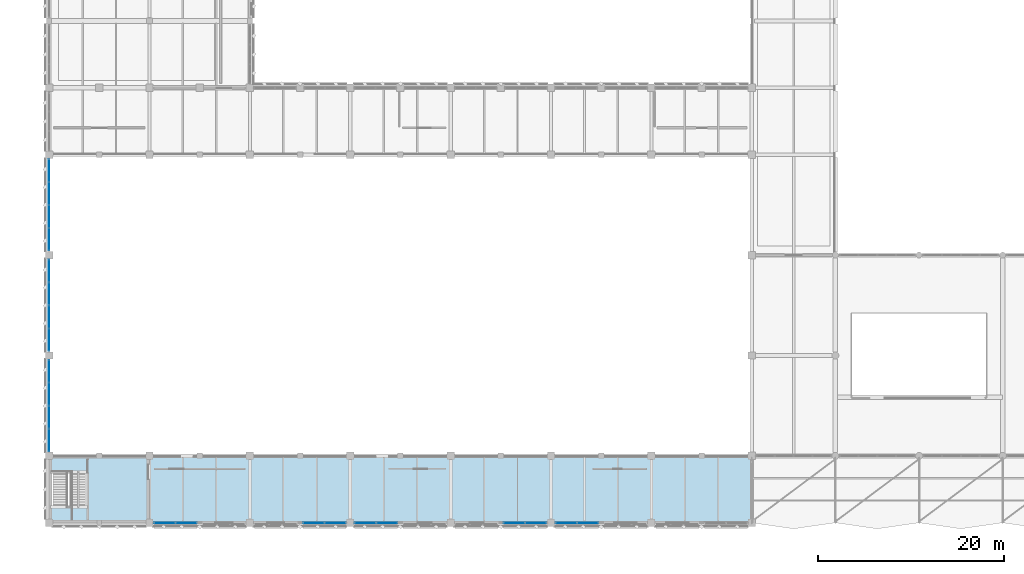
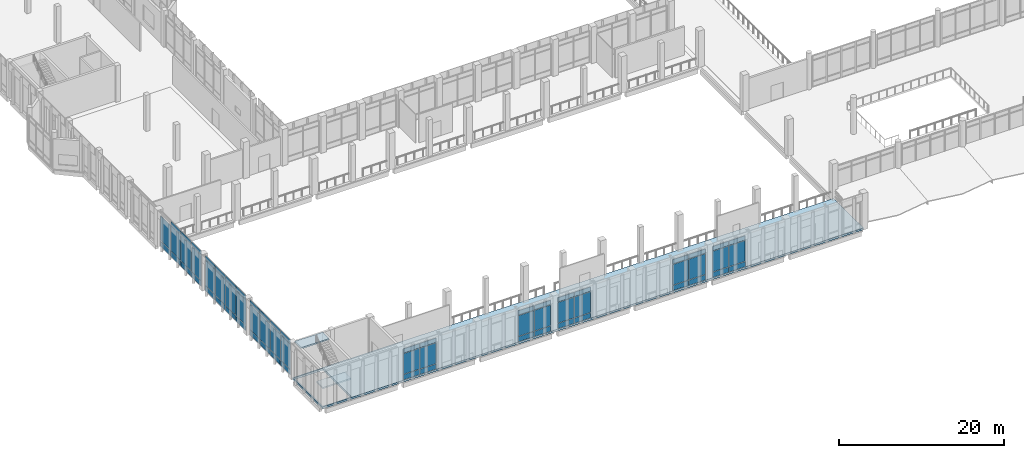
# One storey, part 139 of 180: 65 plates, 3 slabs, 9 elements without a shape of their own.
"""IFC4 building model written with IfcOpenShell, lengths in metres."""

from ifc_helpers import new_model, si_unit, direction, frame, origin, origin_2d, place, context, subcontext, project, spatial, polyline, rectangle, outline, extrude, material, layer, layer_set, type_object, element, aggregate, save


model = new_model("IFC4")

# Units and contexts
model_context = context("Model", 3, precision=1e-05, world=origin(), true_north=direction((0.0, 1.0)))
body_context = subcontext(model_context, "Body", "Model", "MODEL_VIEW")
ifc_project = project(units=[si_unit("LENGTHUNIT", "METRE"), si_unit("AREAUNIT", "SQUARE_METRE"), si_unit("VOLUMEUNIT", "CUBIC_METRE"), si_unit("PLANEANGLEUNIT", "RADIAN"), si_unit("MASSUNIT", "GRAM", prefix="KILO")], contexts=[model_context])

# Site, building, storey
site_placement = place(None, origin())
site = spatial("IfcSite", under=ifc_project, at=site_placement, CompositionType="ELEMENT")
building_placement = place(site_placement, origin())
building = spatial("IfcBuilding", under=site, at=building_placement, Name="Lusvemor Sports Hall", CompositionType="ELEMENT")
storey_placement = place(building_placement, frame((0.0, 0.0, 5.39990234375)))
storey = spatial("IfcBuildingStorey", under=building, at=storey_placement, Name="L01", CompositionType="ELEMENT", Elevation=5.39990234375)

# Curtain wall, plates
ifc_material_1 = material(Name="Thermally broken bronze-anodized aluminium", Category="aluminium")
curtain_wall_type = type_object("IfcCurtainWallType", Name="CW_COURT_C", PredefinedType="NOTDEFINED", material=ifc_material_1)
curtain_wall_1_placement = place(storey_placement, origin())
curtain_wall_1 = element("IfcCurtainWall", 1, at=curtain_wall_1_placement, inside=storey, type_object=curtain_wall_type, Name="Curtain Wall CW-V1S-L01-1-1", PredefinedType="NOTDEFINED")
ifc_material_2 = material(Name="Solar-control laminated double glazing", Category="glass")
ifc_layer_1 = layer(ifc_material_2, 0.028076171875)
ifc_layer_set_1 = layer_set([ifc_layer_1], Name="Solar-control laminated double glazing")
plate_type_1 = type_object("IfcPlateType", Name="CW_PAN_GLZ_28", PredefinedType="CURTAIN_PANEL", material=ifc_layer_set_1)
plate_1_placement = place(storey_placement, frame((14.75244140625, 0.0, 0.8828125), z_axis=(0.0, 0.0, 1.0), x_axis=(-1.0, 0.0, 0.0)))
plate_1 = element("IfcPlate", 2, at=plate_1_placement, type_object=plate_type_1, Name="CW03 panel 1.2", PredefinedType="CURTAIN_PANEL", context=body_context, shape_type="SweptSolid", body=[
    extrude(rectangle(XDim=2.2548828125, YDim=0.028076171875, at=origin_2d()), origin(), (0.0, 0.0, 1.0), 3.034912109375),
])
plate_2_placement = place(storey_placement, frame((14.75244140625, 0.0, 3.982421875), z_axis=(0.0, 0.0, 1.0), x_axis=(-1.0, 0.0, 0.0)))
plate_2 = element("IfcPlate", 3, at=plate_2_placement, type_object=plate_type_1, Name="CW03 panel 1.3", PredefinedType="CURTAIN_PANEL", context=body_context, shape_type="SweptSolid", body=[
    extrude(rectangle(XDim=2.2548828125, YDim=0.028076171875, at=origin_2d()), origin(), (0.0, 0.0, 1.0), 0.652587890625),
])
plate_3_placement = place(storey_placement, frame((12.427490234375, 0.0, 0.8828125), z_axis=(0.0, 0.0, 1.0), x_axis=(-1.0, 0.0, 0.0)))
plate_3 = element("IfcPlate", 4, at=plate_3_placement, type_object=plate_type_1, Name="CW03 panel 2.2", PredefinedType="CURTAIN_PANEL", context=body_context, shape_type="SweptSolid", body=[
    extrude(rectangle(XDim=2.2548828125, YDim=0.028076171875, at=origin_2d()), origin(), (0.0, 0.0, 1.0), 3.034912109375),
])
plate_4_placement = place(storey_placement, frame((12.427490234375, 0.0, 3.982421875), z_axis=(0.0, 0.0, 1.0), x_axis=(-1.0, 0.0, 0.0)))
plate_4 = element("IfcPlate", 5, at=plate_4_placement, type_object=plate_type_1, Name="CW03 panel 2.3", PredefinedType="CURTAIN_PANEL", context=body_context, shape_type="SweptSolid", body=[
    extrude(rectangle(XDim=2.2548828125, YDim=0.028076171875, at=origin_2d()), origin(), (0.0, 0.0, 1.0), 0.652587890625),
])

curtain_wall_2_placement = place(storey_placement, origin())
curtain_wall_2 = element("IfcCurtainWall", 6, at=curtain_wall_2_placement, inside=storey, type_object=curtain_wall_type, Name="Curtain Wall CW-V1S-L01-2-2", PredefinedType="NOTDEFINED")
plate_5_placement = place(storey_placement, frame((30.7724609375, 0.0, 0.8828125), z_axis=(0.0, 0.0, 1.0), x_axis=(-1.0, 0.0, 0.0)))
plate_5 = element("IfcPlate", 7, at=plate_5_placement, type_object=plate_type_1, Name="CW03 panel 1.2", PredefinedType="CURTAIN_PANEL", context=body_context, shape_type="SweptSolid", body=[
    extrude(rectangle(XDim=2.2548828125, YDim=0.028076171875, at=origin_2d()), origin(), (0.0, 0.0, 1.0), 3.034912109375),
])
plate_6_placement = place(storey_placement, frame((30.7724609375, 0.0, 3.982421875), z_axis=(0.0, 0.0, 1.0), x_axis=(-1.0, 0.0, 0.0)))
plate_6 = element("IfcPlate", 8, at=plate_6_placement, type_object=plate_type_1, Name="CW03 panel 1.3", PredefinedType="CURTAIN_PANEL", context=body_context, shape_type="SweptSolid", body=[
    extrude(rectangle(XDim=2.2548828125, YDim=0.028076171875, at=origin_2d()), origin(), (0.0, 0.0, 1.0), 0.652587890625),
])
plate_7_placement = place(storey_placement, frame((28.447509765625, 0.0, 0.8828125), z_axis=(0.0, 0.0, 1.0), x_axis=(-1.0, 0.0, 0.0)))
plate_7 = element("IfcPlate", 9, at=plate_7_placement, type_object=plate_type_1, Name="CW03 panel 2.2", PredefinedType="CURTAIN_PANEL", context=body_context, shape_type="SweptSolid", body=[
    extrude(rectangle(XDim=2.2548828125, YDim=0.028076171875, at=origin_2d()), origin(), (0.0, 0.0, 1.0), 3.034912109375),
])
plate_8_placement = place(storey_placement, frame((28.447509765625, 0.0, 3.982421875), z_axis=(0.0, 0.0, 1.0), x_axis=(-1.0, 0.0, 0.0)))
plate_8 = element("IfcPlate", 10, at=plate_8_placement, type_object=plate_type_1, Name="CW03 panel 2.3", PredefinedType="CURTAIN_PANEL", context=body_context, shape_type="SweptSolid", body=[
    extrude(rectangle(XDim=2.2548828125, YDim=0.028076171875, at=origin_2d()), origin(), (0.0, 0.0, 1.0), 0.652587890625),
])

curtain_wall_3_placement = place(storey_placement, origin())
curtain_wall_3 = element("IfcCurtainWall", 11, at=curtain_wall_3_placement, inside=storey, type_object=curtain_wall_type, Name="Curtain Wall CW-V1S-L01-3-1", PredefinedType="NOTDEFINED")
plate_9_placement = place(storey_placement, frame((36.3525390625, 0.0, 0.8828125), z_axis=(0.0, 0.0, 1.0), x_axis=(-1.0, 0.0, 0.0)))
plate_9 = element("IfcPlate", 12, at=plate_9_placement, type_object=plate_type_1, Name="CW03 panel 1.2", PredefinedType="CURTAIN_PANEL", context=body_context, shape_type="SweptSolid", body=[
    extrude(rectangle(XDim=2.2548828125, YDim=0.028076171875, at=origin_2d()), origin(), (0.0, 0.0, 1.0), 3.034912109375),
])
plate_10_placement = place(storey_placement, frame((36.3525390625, 0.0, 3.982421875), z_axis=(0.0, 0.0, 1.0), x_axis=(-1.0, 0.0, 0.0)))
plate_10 = element("IfcPlate", 13, at=plate_10_placement, type_object=plate_type_1, Name="CW03 panel 1.3", PredefinedType="CURTAIN_PANEL", context=body_context, shape_type="SweptSolid", body=[
    extrude(rectangle(XDim=2.2548828125, YDim=0.028076171875, at=origin_2d()), origin(), (0.0, 0.0, 1.0), 0.652587890625),
])
plate_11_placement = place(storey_placement, frame((34.027587890625, 0.0, 0.8828125), z_axis=(0.0, 0.0, 1.0), x_axis=(-1.0, 0.0, 0.0)))
plate_11 = element("IfcPlate", 14, at=plate_11_placement, type_object=plate_type_1, Name="CW03 panel 2.2", PredefinedType="CURTAIN_PANEL", context=body_context, shape_type="SweptSolid", body=[
    extrude(rectangle(XDim=2.2548828125, YDim=0.028076171875, at=origin_2d()), origin(), (0.0, 0.0, 1.0), 3.034912109375),
])
plate_12_placement = place(storey_placement, frame((34.027587890625, 0.0, 3.982421875), z_axis=(0.0, 0.0, 1.0), x_axis=(-1.0, 0.0, 0.0)))
plate_12 = element("IfcPlate", 15, at=plate_12_placement, type_object=plate_type_1, Name="CW03 panel 2.3", PredefinedType="CURTAIN_PANEL", context=body_context, shape_type="SweptSolid", body=[
    extrude(rectangle(XDim=2.2548828125, YDim=0.028076171875, at=origin_2d()), origin(), (0.0, 0.0, 1.0), 0.652587890625),
])

curtain_wall_4_placement = place(storey_placement, origin())
curtain_wall_4 = element("IfcCurtainWall", 16, at=curtain_wall_4_placement, inside=storey, type_object=curtain_wall_type, Name="Curtain Wall CW-V1S-L01-4-2", PredefinedType="NOTDEFINED")
plate_13_placement = place(storey_placement, frame((52.37255859375, 0.0, 0.8828125), z_axis=(0.0, 0.0, 1.0), x_axis=(-1.0, 0.0, 0.0)))
plate_13 = element("IfcPlate", 17, at=plate_13_placement, type_object=plate_type_1, Name="CW03 panel 1.2", PredefinedType="CURTAIN_PANEL", context=body_context, shape_type="SweptSolid", body=[
    extrude(rectangle(XDim=2.2548828125, YDim=0.028076171875, at=origin_2d()), origin(), (0.0, 0.0, 1.0), 3.034912109375),
])
plate_14_placement = place(storey_placement, frame((52.37255859375, 0.0, 3.982421875), z_axis=(0.0, 0.0, 1.0), x_axis=(-1.0, 0.0, 0.0)))
plate_14 = element("IfcPlate", 18, at=plate_14_placement, type_object=plate_type_1, Name="CW03 panel 1.3", PredefinedType="CURTAIN_PANEL", context=body_context, shape_type="SweptSolid", body=[
    extrude(rectangle(XDim=2.2548828125, YDim=0.028076171875, at=origin_2d()), origin(), (0.0, 0.0, 1.0), 0.652587890625),
])
plate_15_placement = place(storey_placement, frame((50.047607421875, 0.0, 0.8828125), z_axis=(0.0, 0.0, 1.0), x_axis=(-1.0, 0.0, 0.0)))
plate_15 = element("IfcPlate", 19, at=plate_15_placement, type_object=plate_type_1, Name="CW03 panel 2.2", PredefinedType="CURTAIN_PANEL", context=body_context, shape_type="SweptSolid", body=[
    extrude(rectangle(XDim=2.2548828125, YDim=0.028076171875, at=origin_2d()), origin(), (0.0, 0.0, 1.0), 3.034912109375),
])
plate_16_placement = place(storey_placement, frame((50.047607421875, 0.0, 3.982421875), z_axis=(0.0, 0.0, 1.0), x_axis=(-1.0, 0.0, 0.0)))
plate_16 = element("IfcPlate", 20, at=plate_16_placement, type_object=plate_type_1, Name="CW03 panel 2.3", PredefinedType="CURTAIN_PANEL", context=body_context, shape_type="SweptSolid", body=[
    extrude(rectangle(XDim=2.2548828125, YDim=0.028076171875, at=origin_2d()), origin(), (0.0, 0.0, 1.0), 0.652587890625),
])

curtain_wall_5_placement = place(storey_placement, origin())
curtain_wall_5 = element("IfcCurtainWall", 21, at=curtain_wall_5_placement, inside=storey, type_object=curtain_wall_type, Name="Curtain Wall CW-V1S-L01-5-1", PredefinedType="NOTDEFINED")
plate_17_placement = place(storey_placement, frame((57.952392578125, 0.0, 0.8828125), z_axis=(0.0, 0.0, 1.0), x_axis=(-1.0, 0.0, 0.0)))
plate_17 = element("IfcPlate", 22, at=plate_17_placement, type_object=plate_type_1, Name="CW03 panel 1.2", PredefinedType="CURTAIN_PANEL", context=body_context, shape_type="SweptSolid", body=[
    extrude(rectangle(XDim=2.2548828125, YDim=0.028076171875, at=origin_2d()), origin(), (0.0, 0.0, 1.0), 3.034912109375),
])
plate_18_placement = place(storey_placement, frame((57.952392578125, 0.0, 3.982421875), z_axis=(0.0, 0.0, 1.0), x_axis=(-1.0, 0.0, 0.0)))
plate_18 = element("IfcPlate", 23, at=plate_18_placement, type_object=plate_type_1, Name="CW03 panel 1.3", PredefinedType="CURTAIN_PANEL", context=body_context, shape_type="SweptSolid", body=[
    extrude(rectangle(XDim=2.2548828125, YDim=0.028076171875, at=origin_2d()), origin(), (0.0, 0.0, 1.0), 0.652587890625),
])
plate_19_placement = place(storey_placement, frame((55.62744140625, 0.0, 0.8828125), z_axis=(0.0, 0.0, 1.0), x_axis=(-1.0, 0.0, 0.0)))
plate_19 = element("IfcPlate", 24, at=plate_19_placement, type_object=plate_type_1, Name="CW03 panel 2.2", PredefinedType="CURTAIN_PANEL", context=body_context, shape_type="SweptSolid", body=[
    extrude(rectangle(XDim=2.2548828125, YDim=0.028076171875, at=origin_2d()), origin(), (0.0, 0.0, 1.0), 3.034912109375),
])
plate_20_placement = place(storey_placement, frame((55.62744140625, 0.0, 3.982421875), z_axis=(0.0, 0.0, 1.0), x_axis=(-1.0, 0.0, 0.0)))
plate_20 = element("IfcPlate", 25, at=plate_20_placement, type_object=plate_type_1, Name="CW03 panel 2.3", PredefinedType="CURTAIN_PANEL", context=body_context, shape_type="SweptSolid", body=[
    extrude(rectangle(XDim=2.2548828125, YDim=0.028076171875, at=origin_2d()), origin(), (0.0, 0.0, 1.0), 0.652587890625),
])

curtain_wall_6_placement = place(storey_placement, origin())
curtain_wall_6 = element("IfcCurtainWall", 26, at=curtain_wall_6_placement, inside=storey, type_object=curtain_wall_type, Name="Curtain Wall CW-V1W-L01-2", PredefinedType="NOTDEFINED")
plate_21_placement = place(storey_placement, frame((0.0, 8.889892578125, 0.882568359375), z_axis=(0.0, 0.0, 1.0), x_axis=(0.0, 1.0, 0.0)))
plate_21 = element("IfcPlate", 27, at=plate_21_placement, type_object=plate_type_1, Name="CW03 panel 1.2", PredefinedType="CURTAIN_PANEL", context=body_context, shape_type="SweptSolid", body=[
    extrude(rectangle(XDim=2.3798828125, YDim=0.028076171875, at=origin_2d()), origin(), (0.0, 0.0, 1.0), 3.68505859375),
])
plate_22_placement = place(storey_placement, frame((0.0, 8.889892578125, 4.63232421875), z_axis=(0.0, 0.0, 1.0), x_axis=(0.0, 1.0, 0.0)))
plate_22 = element("IfcPlate", 28, at=plate_22_placement, type_object=plate_type_1, Name="CW03 panel 1.3", PredefinedType="CURTAIN_PANEL", context=body_context, shape_type="SweptSolid", body=[
    extrude(rectangle(XDim=2.3798828125, YDim=0.028076171875, at=origin_2d()), origin(), (0.0, 0.0, 1.0), 0.652587890625),
])
plate_23_placement = place(storey_placement, frame((0.0, 11.357421875, 0.882568359375), z_axis=(0.0, 0.0, 1.0), x_axis=(0.0, 1.0, 0.0)))
plate_23 = element("IfcPlate", 29, at=plate_23_placement, type_object=plate_type_1, Name="CW03 panel 2.2", PredefinedType="CURTAIN_PANEL", context=body_context, shape_type="SweptSolid", body=[
    extrude(rectangle(XDim=2.4150390625, YDim=0.028076171875, at=origin_2d()), origin(), (0.0, 0.0, 1.0), 3.68505859375),
])
plate_24_placement = place(storey_placement, frame((0.0, 11.357421875, 4.63232421875), z_axis=(0.0, 0.0, 1.0), x_axis=(0.0, 1.0, 0.0)))
plate_24 = element("IfcPlate", 30, at=plate_24_placement, type_object=plate_type_1, Name="CW03 panel 2.3", PredefinedType="CURTAIN_PANEL", context=body_context, shape_type="SweptSolid", body=[
    extrude(rectangle(XDim=2.4150390625, YDim=0.028076171875, at=origin_2d()), origin(), (0.0, 0.0, 1.0), 0.652587890625),
])
plate_25_placement = place(storey_placement, frame((0.0, 13.842529296875, 0.882568359375), z_axis=(0.0, 0.0, 1.0), x_axis=(0.0, 1.0, 0.0)))
plate_25 = element("IfcPlate", 31, at=plate_25_placement, type_object=plate_type_1, Name="CW03 panel 3.2", PredefinedType="CURTAIN_PANEL", context=body_context, shape_type="SweptSolid", body=[
    extrude(rectangle(XDim=2.4150390625, YDim=0.028076171875, at=origin_2d()), origin(), (0.0, 0.0, 1.0), 3.68505859375),
])
plate_26_placement = place(storey_placement, frame((0.0, 13.842529296875, 4.63232421875), z_axis=(0.0, 0.0, 1.0), x_axis=(0.0, 1.0, 0.0)))
plate_26 = element("IfcPlate", 32, at=plate_26_placement, type_object=plate_type_1, Name="CW03 panel 3.3", PredefinedType="CURTAIN_PANEL", context=body_context, shape_type="SweptSolid", body=[
    extrude(rectangle(XDim=2.4150390625, YDim=0.028076171875, at=origin_2d()), origin(), (0.0, 0.0, 1.0), 0.652587890625),
])
plate_27_placement = place(storey_placement, frame((0.0, 16.31005859375, 0.882568359375), z_axis=(0.0, 0.0, 1.0), x_axis=(0.0, 1.0, 0.0)))
plate_27 = element("IfcPlate", 33, at=plate_27_placement, type_object=plate_type_1, Name="CW03 panel 4.2", PredefinedType="CURTAIN_PANEL", context=body_context, shape_type="SweptSolid", body=[
    extrude(rectangle(XDim=2.3798828125, YDim=0.028076171875, at=origin_2d()), origin(), (0.0, 0.0, 1.0), 3.68505859375),
])
plate_28_placement = place(storey_placement, frame((0.0, 16.31005859375, 4.63232421875), z_axis=(0.0, 0.0, 1.0), x_axis=(0.0, 1.0, 0.0)))
plate_28 = element("IfcPlate", 34, at=plate_28_placement, type_object=plate_type_1, Name="CW03 panel 4.3", PredefinedType="CURTAIN_PANEL", context=body_context, shape_type="SweptSolid", body=[
    extrude(rectangle(XDim=2.3798828125, YDim=0.028076171875, at=origin_2d()), origin(), (0.0, 0.0, 1.0), 0.652587890625),
])

curtain_wall_7_placement = place(storey_placement, origin())
curtain_wall_7 = element("IfcCurtainWall", 35, at=curtain_wall_7_placement, inside=storey, type_object=curtain_wall_type, Name="Curtain Wall CW-V1W-L01-3", PredefinedType="NOTDEFINED")
plate_29_placement = place(storey_placement, frame((0.0, 19.68994140625, 0.882568359375), z_axis=(0.0, 0.0, 1.0), x_axis=(0.0, 1.0, 0.0)))
plate_29 = element("IfcPlate", 36, at=plate_29_placement, type_object=plate_type_1, Name="CW03 panel 1.2", PredefinedType="CURTAIN_PANEL", context=body_context, shape_type="SweptSolid", body=[
    extrude(rectangle(XDim=2.3798828125, YDim=0.028076171875, at=origin_2d()), origin(), (0.0, 0.0, 1.0), 3.68505859375),
])
plate_30_placement = place(storey_placement, frame((0.0, 19.68994140625, 4.63232421875), z_axis=(0.0, 0.0, 1.0), x_axis=(0.0, 1.0, 0.0)))
plate_30 = element("IfcPlate", 37, at=plate_30_placement, type_object=plate_type_1, Name="CW03 panel 1.3", PredefinedType="CURTAIN_PANEL", context=body_context, shape_type="SweptSolid", body=[
    extrude(rectangle(XDim=2.3798828125, YDim=0.028076171875, at=origin_2d()), origin(), (0.0, 0.0, 1.0), 0.652587890625),
])
plate_31_placement = place(storey_placement, frame((0.0, 22.157470703125, 0.882568359375), z_axis=(0.0, 0.0, 1.0), x_axis=(0.0, 1.0, 0.0)))
plate_31 = element("IfcPlate", 38, at=plate_31_placement, type_object=plate_type_1, Name="CW03 panel 2.2", PredefinedType="CURTAIN_PANEL", context=body_context, shape_type="SweptSolid", body=[
    extrude(rectangle(XDim=2.4150390625, YDim=0.028076171875, at=origin_2d()), origin(), (0.0, 0.0, 1.0), 3.68505859375),
])
plate_32_placement = place(storey_placement, frame((0.0, 22.157470703125, 4.63232421875), z_axis=(0.0, 0.0, 1.0), x_axis=(0.0, 1.0, 0.0)))
plate_32 = element("IfcPlate", 39, at=plate_32_placement, type_object=plate_type_1, Name="CW03 panel 2.3", PredefinedType="CURTAIN_PANEL", context=body_context, shape_type="SweptSolid", body=[
    extrude(rectangle(XDim=2.4150390625, YDim=0.028076171875, at=origin_2d()), origin(), (0.0, 0.0, 1.0), 0.652587890625),
])
plate_33_placement = place(storey_placement, frame((0.0, 24.642578125, 0.882568359375), z_axis=(0.0, 0.0, 1.0), x_axis=(0.0, 1.0, 0.0)))
plate_33 = element("IfcPlate", 40, at=plate_33_placement, type_object=plate_type_1, Name="CW03 panel 3.2", PredefinedType="CURTAIN_PANEL", context=body_context, shape_type="SweptSolid", body=[
    extrude(rectangle(XDim=2.4150390625, YDim=0.028076171875, at=origin_2d()), origin(), (0.0, 0.0, 1.0), 3.68505859375),
])
plate_34_placement = place(storey_placement, frame((0.0, 24.642578125, 4.63232421875), z_axis=(0.0, 0.0, 1.0), x_axis=(0.0, 1.0, 0.0)))
plate_34 = element("IfcPlate", 41, at=plate_34_placement, type_object=plate_type_1, Name="CW03 panel 3.3", PredefinedType="CURTAIN_PANEL", context=body_context, shape_type="SweptSolid", body=[
    extrude(rectangle(XDim=2.4150390625, YDim=0.028076171875, at=origin_2d()), origin(), (0.0, 0.0, 1.0), 0.652587890625),
])
plate_35_placement = place(storey_placement, frame((0.0, 27.110107421875, 0.882568359375), z_axis=(0.0, 0.0, 1.0), x_axis=(0.0, 1.0, 0.0)))
plate_35 = element("IfcPlate", 42, at=plate_35_placement, type_object=plate_type_1, Name="CW03 panel 4.2", PredefinedType="CURTAIN_PANEL", context=body_context, shape_type="SweptSolid", body=[
    extrude(rectangle(XDim=2.3798828125, YDim=0.028076171875, at=origin_2d()), origin(), (0.0, 0.0, 1.0), 3.68505859375),
])
plate_36_placement = place(storey_placement, frame((0.0, 27.110107421875, 4.63232421875), z_axis=(0.0, 0.0, 1.0), x_axis=(0.0, 1.0, 0.0)))
plate_36 = element("IfcPlate", 43, at=plate_36_placement, type_object=plate_type_1, Name="CW03 panel 4.3", PredefinedType="CURTAIN_PANEL", context=body_context, shape_type="SweptSolid", body=[
    extrude(rectangle(XDim=2.3798828125, YDim=0.028076171875, at=origin_2d()), origin(), (0.0, 0.0, 1.0), 0.652587890625),
])

curtain_wall_8_placement = place(storey_placement, origin())
curtain_wall_8 = element("IfcCurtainWall", 44, at=curtain_wall_8_placement, inside=storey, type_object=curtain_wall_type, Name="Curtain Wall CW-V1W-L01-4", PredefinedType="NOTDEFINED")
plate_37_placement = place(storey_placement, frame((0.0, 30.489990234375, 0.882568359375), z_axis=(0.0, 0.0, 1.0), x_axis=(0.0, 1.0, 0.0)))
plate_37 = element("IfcPlate", 45, at=plate_37_placement, type_object=plate_type_1, Name="CW03 panel 1.2", PredefinedType="CURTAIN_PANEL", context=body_context, shape_type="SweptSolid", body=[
    extrude(rectangle(XDim=2.3798828125, YDim=0.028076171875, at=origin_2d()), origin(), (0.0, 0.0, 1.0), 3.68505859375),
])
plate_38_placement = place(storey_placement, frame((0.0, 30.489990234375, 4.63232421875), z_axis=(0.0, 0.0, 1.0), x_axis=(0.0, 1.0, 0.0)))
plate_38 = element("IfcPlate", 46, at=plate_38_placement, type_object=plate_type_1, Name="CW03 panel 1.3", PredefinedType="CURTAIN_PANEL", context=body_context, shape_type="SweptSolid", body=[
    extrude(rectangle(XDim=2.3798828125, YDim=0.028076171875, at=origin_2d()), origin(), (0.0, 0.0, 1.0), 0.652587890625),
])
plate_39_placement = place(storey_placement, frame((0.0, 32.95751953125, 0.882568359375), z_axis=(0.0, 0.0, 1.0), x_axis=(0.0, 1.0, 0.0)))
plate_39 = element("IfcPlate", 47, at=plate_39_placement, type_object=plate_type_1, Name="CW03 panel 2.2", PredefinedType="CURTAIN_PANEL", context=body_context, shape_type="SweptSolid", body=[
    extrude(rectangle(XDim=2.4150390625, YDim=0.028076171875, at=origin_2d()), origin(), (0.0, 0.0, 1.0), 3.68505859375),
])
plate_40_placement = place(storey_placement, frame((0.0, 32.95751953125, 4.63232421875), z_axis=(0.0, 0.0, 1.0), x_axis=(0.0, 1.0, 0.0)))
plate_40 = element("IfcPlate", 48, at=plate_40_placement, type_object=plate_type_1, Name="CW03 panel 2.3", PredefinedType="CURTAIN_PANEL", context=body_context, shape_type="SweptSolid", body=[
    extrude(rectangle(XDim=2.4150390625, YDim=0.028076171875, at=origin_2d()), origin(), (0.0, 0.0, 1.0), 0.652587890625),
])
plate_41_placement = place(storey_placement, frame((0.0, 35.4423828125, 0.882568359375), z_axis=(0.0, 0.0, 1.0), x_axis=(0.0, 1.0, 0.0)))
plate_41 = element("IfcPlate", 49, at=plate_41_placement, type_object=plate_type_1, Name="CW03 panel 3.2", PredefinedType="CURTAIN_PANEL", context=body_context, shape_type="SweptSolid", body=[
    extrude(rectangle(XDim=2.4150390625, YDim=0.028076171875, at=origin_2d()), origin(), (0.0, 0.0, 1.0), 3.68505859375),
])
plate_42_placement = place(storey_placement, frame((0.0, 35.4423828125, 4.63232421875), z_axis=(0.0, 0.0, 1.0), x_axis=(0.0, 1.0, 0.0)))
plate_42 = element("IfcPlate", 50, at=plate_42_placement, type_object=plate_type_1, Name="CW03 panel 3.3", PredefinedType="CURTAIN_PANEL", context=body_context, shape_type="SweptSolid", body=[
    extrude(rectangle(XDim=2.4150390625, YDim=0.028076171875, at=origin_2d()), origin(), (0.0, 0.0, 1.0), 0.652587890625),
])
plate_43_placement = place(storey_placement, frame((0.0, 37.909912109375, 0.882568359375), z_axis=(0.0, 0.0, 1.0), x_axis=(0.0, 1.0, 0.0)))
plate_43 = element("IfcPlate", 51, at=plate_43_placement, type_object=plate_type_1, Name="CW03 panel 4.2", PredefinedType="CURTAIN_PANEL", context=body_context, shape_type="SweptSolid", body=[
    extrude(rectangle(XDim=2.3798828125, YDim=0.028076171875, at=origin_2d()), origin(), (0.0, 0.0, 1.0), 3.68505859375),
])

# Plate
ifc_material_3 = material(Name="Emerald polychrome glazed ceramic cladding on Concrete C40/50 backing", Category="concrete")
ifc_layer_2 = layer(ifc_material_3, 0.048095703125)
ifc_layer_set_2 = layer_set([ifc_layer_2], Name="Emerald polychrome glazed ceramic cladding on Concrete C40/50 backing")
plate_type_2 = type_object("IfcPlateType", Name="CW_PAN_SPN_48", PredefinedType="CURTAIN_PANEL", material=ifc_layer_set_2)
plate_44_placement = place(storey_placement, frame((14.75244140625, 0.0, 0.065185546875), z_axis=(0.0, 0.0, 1.0), x_axis=(-1.0, 0.0, 0.0)))
plate_44 = element("IfcPlate", 52, at=plate_44_placement, type_object=plate_type_2, Name="CW03 panel 1.1", PredefinedType="CURTAIN_PANEL", context=body_context, shape_type="SweptSolid", body=[
    extrude(rectangle(XDim=2.2548828125, YDim=0.048095703125, at=origin_2d()), origin(), (0.0, 0.0, 1.0), 0.75244140625),
])

plate_45_placement = place(storey_placement, frame((12.427490234375, 0.0, 0.065185546875), z_axis=(0.0, 0.0, 1.0), x_axis=(-1.0, 0.0, 0.0)))
plate_45 = element("IfcPlate", 53, at=plate_45_placement, type_object=plate_type_2, Name="CW03 panel 2.1", PredefinedType="CURTAIN_PANEL", context=body_context, shape_type="SweptSolid", body=[
    extrude(rectangle(XDim=2.2548828125, YDim=0.048095703125, at=origin_2d()), origin(), (0.0, 0.0, 1.0), 0.75244140625),
])

aggregate(curtain_wall_1, [plate_44, plate_1, plate_2, plate_45, plate_3, plate_4])

plate_46_placement = place(storey_placement, frame((30.7724609375, 0.0, 0.065185546875), z_axis=(0.0, 0.0, 1.0), x_axis=(-1.0, 0.0, 0.0)))
plate_46 = element("IfcPlate", 54, at=plate_46_placement, type_object=plate_type_2, Name="CW03 panel 1.1", PredefinedType="CURTAIN_PANEL", context=body_context, shape_type="SweptSolid", body=[
    extrude(rectangle(XDim=2.2548828125, YDim=0.048095703125, at=origin_2d()), origin(), (0.0, 0.0, 1.0), 0.75244140625),
])

plate_47_placement = place(storey_placement, frame((28.447509765625, 0.0, 0.065185546875), z_axis=(0.0, 0.0, 1.0), x_axis=(-1.0, 0.0, 0.0)))
plate_47 = element("IfcPlate", 55, at=plate_47_placement, type_object=plate_type_2, Name="CW03 panel 2.1", PredefinedType="CURTAIN_PANEL", context=body_context, shape_type="SweptSolid", body=[
    extrude(rectangle(XDim=2.2548828125, YDim=0.048095703125, at=origin_2d()), origin(), (0.0, 0.0, 1.0), 0.75244140625),
])

aggregate(curtain_wall_2, [plate_46, plate_5, plate_6, plate_47, plate_7, plate_8])

plate_48_placement = place(storey_placement, frame((36.3525390625, 0.0, 0.065185546875), z_axis=(0.0, 0.0, 1.0), x_axis=(-1.0, 0.0, 0.0)))
plate_48 = element("IfcPlate", 56, at=plate_48_placement, type_object=plate_type_2, Name="CW03 panel 1.1", PredefinedType="CURTAIN_PANEL", context=body_context, shape_type="SweptSolid", body=[
    extrude(rectangle(XDim=2.2548828125, YDim=0.048095703125, at=origin_2d()), origin(), (0.0, 0.0, 1.0), 0.75244140625),
])

plate_49_placement = place(storey_placement, frame((34.027587890625, 0.0, 0.065185546875), z_axis=(0.0, 0.0, 1.0), x_axis=(-1.0, 0.0, 0.0)))
plate_49 = element("IfcPlate", 57, at=plate_49_placement, type_object=plate_type_2, Name="CW03 panel 2.1", PredefinedType="CURTAIN_PANEL", context=body_context, shape_type="SweptSolid", body=[
    extrude(rectangle(XDim=2.2548828125, YDim=0.048095703125, at=origin_2d()), origin(), (0.0, 0.0, 1.0), 0.75244140625),
])

aggregate(curtain_wall_3, [plate_48, plate_9, plate_10, plate_49, plate_11, plate_12])

plate_50_placement = place(storey_placement, frame((52.37255859375, 0.0, 0.065185546875), z_axis=(0.0, 0.0, 1.0), x_axis=(-1.0, 0.0, 0.0)))
plate_50 = element("IfcPlate", 58, at=plate_50_placement, type_object=plate_type_2, Name="CW03 panel 1.1", PredefinedType="CURTAIN_PANEL", context=body_context, shape_type="SweptSolid", body=[
    extrude(rectangle(XDim=2.2548828125, YDim=0.048095703125, at=origin_2d()), origin(), (0.0, 0.0, 1.0), 0.75244140625),
])

plate_51_placement = place(storey_placement, frame((50.047607421875, 0.0, 0.065185546875), z_axis=(0.0, 0.0, 1.0), x_axis=(-1.0, 0.0, 0.0)))
plate_51 = element("IfcPlate", 59, at=plate_51_placement, type_object=plate_type_2, Name="CW03 panel 2.1", PredefinedType="CURTAIN_PANEL", context=body_context, shape_type="SweptSolid", body=[
    extrude(rectangle(XDim=2.2548828125, YDim=0.048095703125, at=origin_2d()), origin(), (0.0, 0.0, 1.0), 0.75244140625),
])

aggregate(curtain_wall_4, [plate_50, plate_13, plate_14, plate_51, plate_15, plate_16])

plate_52_placement = place(storey_placement, frame((57.952392578125, 0.0, 0.065185546875), z_axis=(0.0, 0.0, 1.0), x_axis=(-1.0, 0.0, 0.0)))
plate_52 = element("IfcPlate", 60, at=plate_52_placement, type_object=plate_type_2, Name="CW03 panel 1.1", PredefinedType="CURTAIN_PANEL", context=body_context, shape_type="SweptSolid", body=[
    extrude(rectangle(XDim=2.2548828125, YDim=0.048095703125, at=origin_2d()), origin(), (0.0, 0.0, 1.0), 0.75244140625),
])

plate_53_placement = place(storey_placement, frame((55.62744140625, 0.0, 0.065185546875), z_axis=(0.0, 0.0, 1.0), x_axis=(-1.0, 0.0, 0.0)))
plate_53 = element("IfcPlate", 61, at=plate_53_placement, type_object=plate_type_2, Name="CW03 panel 2.1", PredefinedType="CURTAIN_PANEL", context=body_context, shape_type="SweptSolid", body=[
    extrude(rectangle(XDim=2.2548828125, YDim=0.048095703125, at=origin_2d()), origin(), (0.0, 0.0, 1.0), 0.75244140625),
])

aggregate(curtain_wall_5, [plate_52, plate_17, plate_18, plate_53, plate_19, plate_20])

plate_54_placement = place(storey_placement, frame((0.0, 8.889892578125, 0.065185546875), z_axis=(0.0, 0.0, 1.0), x_axis=(0.0, 1.0, 0.0)))
plate_54 = element("IfcPlate", 62, at=plate_54_placement, type_object=plate_type_2, Name="CW03 panel 1.1", PredefinedType="CURTAIN_PANEL", context=body_context, shape_type="SweptSolid", body=[
    extrude(rectangle(XDim=2.3798828125, YDim=0.048095703125, at=origin_2d()), origin(), (0.0, 0.0, 1.0), 0.75244140625),
])

plate_55_placement = place(storey_placement, frame((0.0, 11.357421875, 0.065185546875), z_axis=(0.0, 0.0, 1.0), x_axis=(0.0, 1.0, 0.0)))
plate_55 = element("IfcPlate", 63, at=plate_55_placement, type_object=plate_type_2, Name="CW03 panel 2.1", PredefinedType="CURTAIN_PANEL", context=body_context, shape_type="SweptSolid", body=[
    extrude(rectangle(XDim=2.4150390625, YDim=0.048095703125, at=origin_2d()), origin(), (0.0, 0.0, 1.0), 0.75244140625),
])

plate_56_placement = place(storey_placement, frame((0.0, 13.842529296875, 0.065185546875), z_axis=(0.0, 0.0, 1.0), x_axis=(0.0, 1.0, 0.0)))
plate_56 = element("IfcPlate", 64, at=plate_56_placement, type_object=plate_type_2, Name="CW03 panel 3.1", PredefinedType="CURTAIN_PANEL", context=body_context, shape_type="SweptSolid", body=[
    extrude(rectangle(XDim=2.4150390625, YDim=0.048095703125, at=origin_2d()), origin(), (0.0, 0.0, 1.0), 0.75244140625),
])

plate_57_placement = place(storey_placement, frame((0.0, 16.31005859375, 0.065185546875), z_axis=(0.0, 0.0, 1.0), x_axis=(0.0, 1.0, 0.0)))
plate_57 = element("IfcPlate", 65, at=plate_57_placement, type_object=plate_type_2, Name="CW03 panel 4.1", PredefinedType="CURTAIN_PANEL", context=body_context, shape_type="SweptSolid", body=[
    extrude(rectangle(XDim=2.3798828125, YDim=0.048095703125, at=origin_2d()), origin(), (0.0, 0.0, 1.0), 0.75244140625),
])

aggregate(curtain_wall_6, [plate_54, plate_21, plate_22, plate_55, plate_23, plate_24, plate_56, plate_25, plate_26, plate_57, plate_27, plate_28])

plate_58_placement = place(storey_placement, frame((0.0, 19.68994140625, 0.065185546875), z_axis=(0.0, 0.0, 1.0), x_axis=(0.0, 1.0, 0.0)))
plate_58 = element("IfcPlate", 66, at=plate_58_placement, type_object=plate_type_2, Name="CW03 panel 1.1", PredefinedType="CURTAIN_PANEL", context=body_context, shape_type="SweptSolid", body=[
    extrude(rectangle(XDim=2.3798828125, YDim=0.048095703125, at=origin_2d()), origin(), (0.0, 0.0, 1.0), 0.75244140625),
])

plate_59_placement = place(storey_placement, frame((0.0, 22.157470703125, 0.065185546875), z_axis=(0.0, 0.0, 1.0), x_axis=(0.0, 1.0, 0.0)))
plate_59 = element("IfcPlate", 67, at=plate_59_placement, type_object=plate_type_2, Name="CW03 panel 2.1", PredefinedType="CURTAIN_PANEL", context=body_context, shape_type="SweptSolid", body=[
    extrude(rectangle(XDim=2.4150390625, YDim=0.048095703125, at=origin_2d()), origin(), (0.0, 0.0, 1.0), 0.75244140625),
])

plate_60_placement = place(storey_placement, frame((0.0, 24.642578125, 0.065185546875), z_axis=(0.0, 0.0, 1.0), x_axis=(0.0, 1.0, 0.0)))
plate_60 = element("IfcPlate", 68, at=plate_60_placement, type_object=plate_type_2, Name="CW03 panel 3.1", PredefinedType="CURTAIN_PANEL", context=body_context, shape_type="SweptSolid", body=[
    extrude(rectangle(XDim=2.4150390625, YDim=0.048095703125, at=origin_2d()), origin(), (0.0, 0.0, 1.0), 0.75244140625),
])

plate_61_placement = place(storey_placement, frame((0.0, 27.110107421875, 0.065185546875), z_axis=(0.0, 0.0, 1.0), x_axis=(0.0, 1.0, 0.0)))
plate_61 = element("IfcPlate", 69, at=plate_61_placement, type_object=plate_type_2, Name="CW03 panel 4.1", PredefinedType="CURTAIN_PANEL", context=body_context, shape_type="SweptSolid", body=[
    extrude(rectangle(XDim=2.3798828125, YDim=0.048095703125, at=origin_2d()), origin(), (0.0, 0.0, 1.0), 0.75244140625),
])

aggregate(curtain_wall_7, [plate_58, plate_29, plate_30, plate_59, plate_31, plate_32, plate_60, plate_33, plate_34, plate_61, plate_35, plate_36])

plate_62_placement = place(storey_placement, frame((0.0, 30.489990234375, 0.065185546875), z_axis=(0.0, 0.0, 1.0), x_axis=(0.0, 1.0, 0.0)))
plate_62 = element("IfcPlate", 70, at=plate_62_placement, type_object=plate_type_2, Name="CW03 panel 1.1", PredefinedType="CURTAIN_PANEL", context=body_context, shape_type="SweptSolid", body=[
    extrude(rectangle(XDim=2.3798828125, YDim=0.048095703125, at=origin_2d()), origin(), (0.0, 0.0, 1.0), 0.75244140625),
])

plate_63_placement = place(storey_placement, frame((0.0, 32.95751953125, 0.065185546875), z_axis=(0.0, 0.0, 1.0), x_axis=(0.0, 1.0, 0.0)))
plate_63 = element("IfcPlate", 71, at=plate_63_placement, type_object=plate_type_2, Name="CW03 panel 2.1", PredefinedType="CURTAIN_PANEL", context=body_context, shape_type="SweptSolid", body=[
    extrude(rectangle(XDim=2.4150390625, YDim=0.048095703125, at=origin_2d()), origin(), (0.0, 0.0, 1.0), 0.75244140625),
])

plate_64_placement = place(storey_placement, frame((0.0, 35.4423828125, 0.065185546875), z_axis=(0.0, 0.0, 1.0), x_axis=(0.0, 1.0, 0.0)))
plate_64 = element("IfcPlate", 72, at=plate_64_placement, type_object=plate_type_2, Name="CW03 panel 3.1", PredefinedType="CURTAIN_PANEL", context=body_context, shape_type="SweptSolid", body=[
    extrude(rectangle(XDim=2.4150390625, YDim=0.048095703125, at=origin_2d()), origin(), (0.0, 0.0, 1.0), 0.75244140625),
])

plate_65_placement = place(storey_placement, frame((0.0, 37.909912109375, 0.065185546875), z_axis=(0.0, 0.0, 1.0), x_axis=(0.0, 1.0, 0.0)))
plate_65 = element("IfcPlate", 73, at=plate_65_placement, type_object=plate_type_2, Name="CW03 panel 4.1", PredefinedType="CURTAIN_PANEL", context=body_context, shape_type="SweptSolid", body=[
    extrude(rectangle(XDim=2.3798828125, YDim=0.048095703125, at=origin_2d()), origin(), (0.0, 0.0, 1.0), 0.75244140625),
])

aggregate(curtain_wall_8, [plate_62, plate_37, plate_38, plate_63, plate_39, plate_40, plate_64, plate_41, plate_42, plate_65, plate_43])

# Slab
ifc_material_4 = material(Name="Concrete C40/50", Category="concrete")
ifc_layer_3 = layer(ifc_material_4, 0.280029296875)
ifc_layer_set_3 = layer_set([ifc_layer_3], Name="Concrete C40/50")
slab_type_1 = type_object("IfcSlabType", Name="SLAB_INT_280", PredefinedType="FLOOR", material=ifc_layer_set_3)
slab_1_placement = place(storey_placement, frame((0.0, 0.0, -0.27978515625)))
element("IfcSlab", 74, at=slab_1_placement, inside=storey, type_object=slab_type_1, Name="Slab L01 V1-SAISLE", PredefinedType="FLOOR", context=body_context, shape_type="SweptSolid", body=[
    extrude(outline(polyline([(0.0, 0.0), (75.60009765625, 0.0), (75.60009765625, 7.199951171875), (0.0, 7.199951171875), (0.0, 0.0)]), holes=[polyline([(0.159912109375, 0.159912109375), (4.139892578125, 0.159912109375), (4.139892578125, 7.0400390625), (0.159912109375, 7.0400390625), (0.159912109375, 0.159912109375)])]), origin(), (0.0, 0.0, 1.0), 0.27978515625),
])

# Stair, slabs
ifc_material_5 = material(Name="Concrete C40/50", Category="concrete")
stair_type = type_object("IfcStairType", Name="STAIR_CORE_540_C", PredefinedType="HALF_TURN_STAIR", material=ifc_material_5)
stair_placement = place(storey_placement, origin())
stair = element("IfcStair", 75, at=stair_placement, inside=storey, type_object=stair_type, Name="Escape Stair C6 (L01)", PredefinedType="HALF_TURN_STAIR")
ifc_material_6 = material(Name="Concrete C40/50", Category="concrete")
ifc_layer_4 = layer(ifc_material_6, 0.199951171875)
ifc_layer_set_4 = layer_set([ifc_layer_4], Name="Concrete C40/50")
slab_type_2 = type_object("IfcSlabType", Name="SLAB_LAND_200", PredefinedType="LANDING", material=ifc_layer_set_4)
slab_2_placement = place(storey_placement, frame((0.0, 0.0, 2.5)))
slab_2 = element("IfcSlab", 76, at=slab_2_placement, type_object=slab_type_2, Name="ST05 landing 1", PredefinedType="LANDING", context=body_context, shape_type="SweptSolid", body=[
    extrude(outline(polyline([(0.179931640625, 0.179931640625), (4.1201171875, 0.179931640625), (4.1201171875, 1.739990234375), (0.179931640625, 1.739990234375), (0.179931640625, 0.179931640625)])), origin(), (0.0, 0.0, 1.0), 0.2001953125),
])
slab_3_placement = place(storey_placement, frame((0.0, 0.0, 5.2001953125)))
slab_3 = element("IfcSlab", 77, at=slab_3_placement, type_object=slab_type_2, Name="ST05 landing 2", PredefinedType="LANDING", context=body_context, shape_type="SweptSolid", body=[
    extrude(outline(polyline([(0.179931640625, 5.43994140625), (4.1201171875, 5.43994140625), (4.1201171875, 7.02001953125), (0.179931640625, 7.02001953125), (0.179931640625, 5.43994140625)])), origin(), (0.0, 0.0, 1.0), 0.199951171875),
])
aggregate(stair, [slab_2, slab_3])

save(model, "model.ifc")
